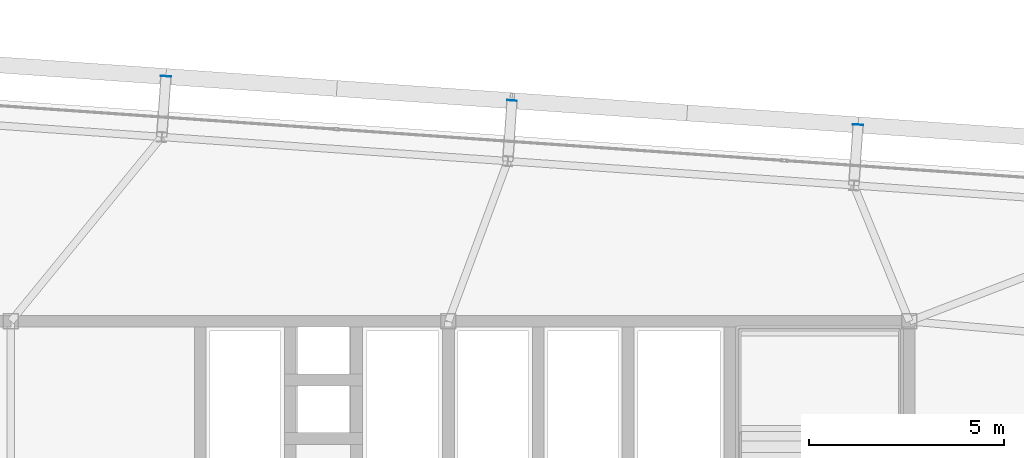
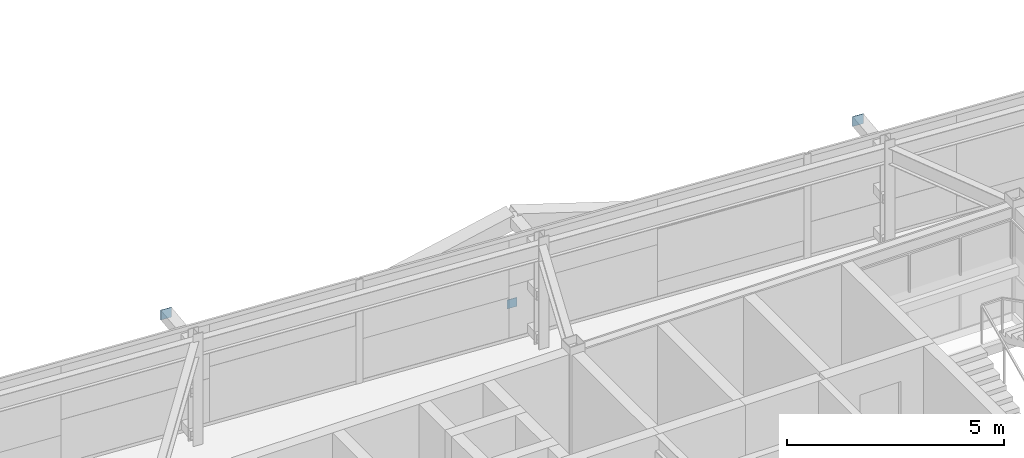
# One storey, part 33 of 39: 3 plates.
"""IFC4 building model written with IfcOpenShell, lengths in metres."""

from ifc_helpers import new_model, si_unit, direction, frame, origin, origin_2d, place, context, subcontext, project, spatial, rectangle, extrude, source, transform, mapped, material, layer, layer_set, type_object, element, save


model = new_model("IFC4")

# Units and contexts
model_context = context("Model", 3, precision=1e-05, world=origin(), true_north=direction((0.0, 1.0)))
body_context = subcontext(model_context, "Body", "Model", "MODEL_VIEW")
ifc_project = project(units=[si_unit("LENGTHUNIT", "METRE"), si_unit("AREAUNIT", "SQUARE_METRE"), si_unit("VOLUMEUNIT", "CUBIC_METRE"), si_unit("PLANEANGLEUNIT", "RADIAN"), si_unit("MASSUNIT", "GRAM", prefix="KILO")], contexts=[model_context])

# Site, building, storey
site_placement = place(None, origin())
site = spatial("IfcSite", under=ifc_project, at=site_placement, CompositionType="ELEMENT")
building_placement = place(site_placement, origin())
building = spatial("IfcBuilding", under=site, at=building_placement, Name="Taldren Reach Tower", CompositionType="ELEMENT")
storey_placement = place(building_placement, frame((0.0, 0.0, 126.699951171875)))
storey = spatial("IfcBuildingStorey", under=building, at=storey_placement, Name="L38", CompositionType="ELEMENT", Elevation=126.699951171875)

# Plates
ifc_material_1 = material(Name="Steel Gr 450 (C450L0)", Category="steel")
ifc_layer_1 = layer(ifc_material_1, 0.011962890625)
ifc_layer_set_1 = layer_set([ifc_layer_1], Name="Steel Gr 450 (C450L0)")
plate_type_1 = type_object("IfcPlateType", Name="PL-CAP-275", PredefinedType="SHEET", material=ifc_layer_set_1)
shared_shape_1 = source(origin(), body_context, "Body", "SweptSolid", [
    extrude(rectangle(XDim=0.27490234375, YDim=0.011962890625, at=origin_2d()), origin(), (0.0, 0.0, 1.0), 0.27490234375),
])
for number, where, z_axis, x_axis, name in (
    (1, (31.969970703125, 38.272216796875, 2.5126953125), (0.0, 0.0, 1.0), (0.99756405026, -0.069756473744, 0.0), "Tie strut end cap plate B3-N3 L38"),
    (2, (49.6865234375, 37.033203125, 2.5126953125), (0.0, 0.0, 1.0), (0.99756405026, -0.069756473744, 0.0), "Tie strut end cap plate B3-N5 L38"),
):
    element("IfcPlate", number, at=place(storey_placement, frame(where, z_axis=z_axis, x_axis=x_axis)), inside=storey, type_object=plate_type_1, Name=name, PredefinedType="SHEET", context=body_context, shape_type="MappedRepresentation", body=[
        mapped(shared_shape_1, transform((0.0, 0.0, 0.0), scale=1.0)),
    ])
ifc_material_2 = material(Name="Steel Gr 350 (C350L0)", Category="steel")
ifc_layer_2 = layer(ifc_material_2, 0.011962890625)
ifc_layer_set_2 = layer_set([ifc_layer_2], Name="Steel Gr 350 (C350L0)")
plate_type_2 = type_object("IfcPlateType", Name="PL-CAP-250", PredefinedType="SHEET", material=ifc_layer_set_2)
shared_shape_2 = source(origin(), body_context, "Body", "SweptSolid", [
    extrude(rectangle(XDim=0.25, YDim=0.011962890625, at=origin_2d()), origin(), (0.0, 0.0, 1.0), 0.25),
])
plate_placement = place(storey_placement, frame((40.828125, 37.652587890625, 0.094970703125), z_axis=(0.0, 0.0, 1.0), x_axis=(0.99756405026, -0.069756473744, 0.0)))
element("IfcPlate", 3, at=plate_placement, inside=storey, type_object=plate_type_2, Name="Tie strut end cap plate B3-N4 L38", PredefinedType="SHEET", context=body_context, shape_type="MappedRepresentation", body=[
    mapped(shared_shape_2, transform((0.0, 0.0, 0.0), scale=1.0)),
])

save(model, "model.ifc")
